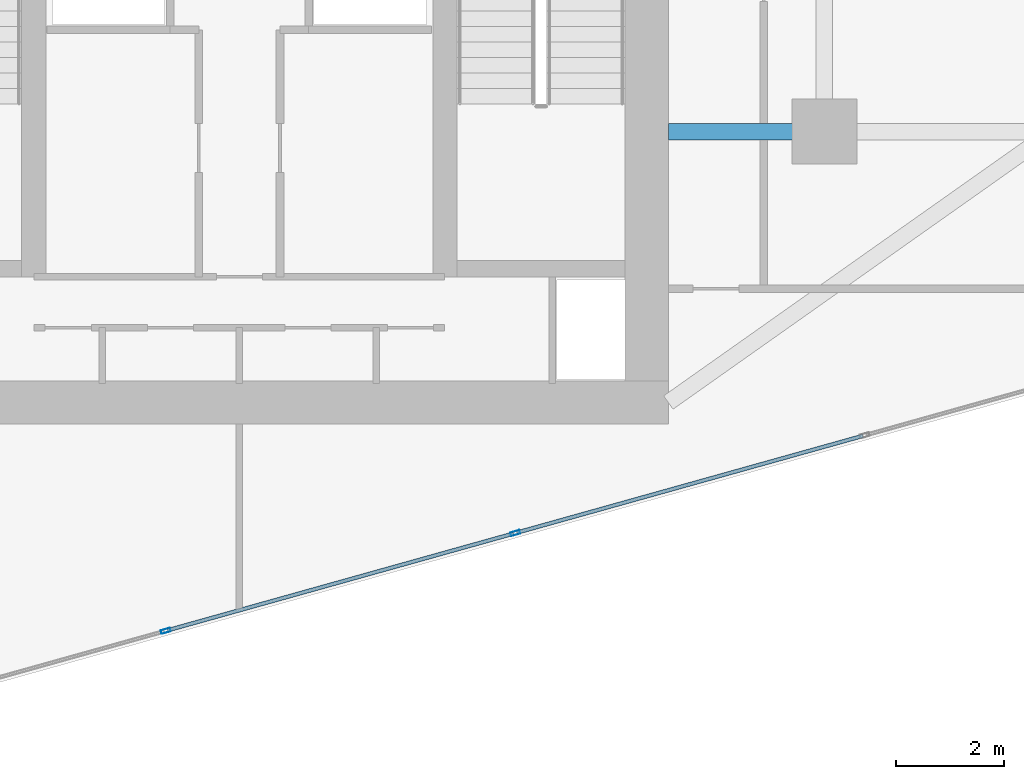
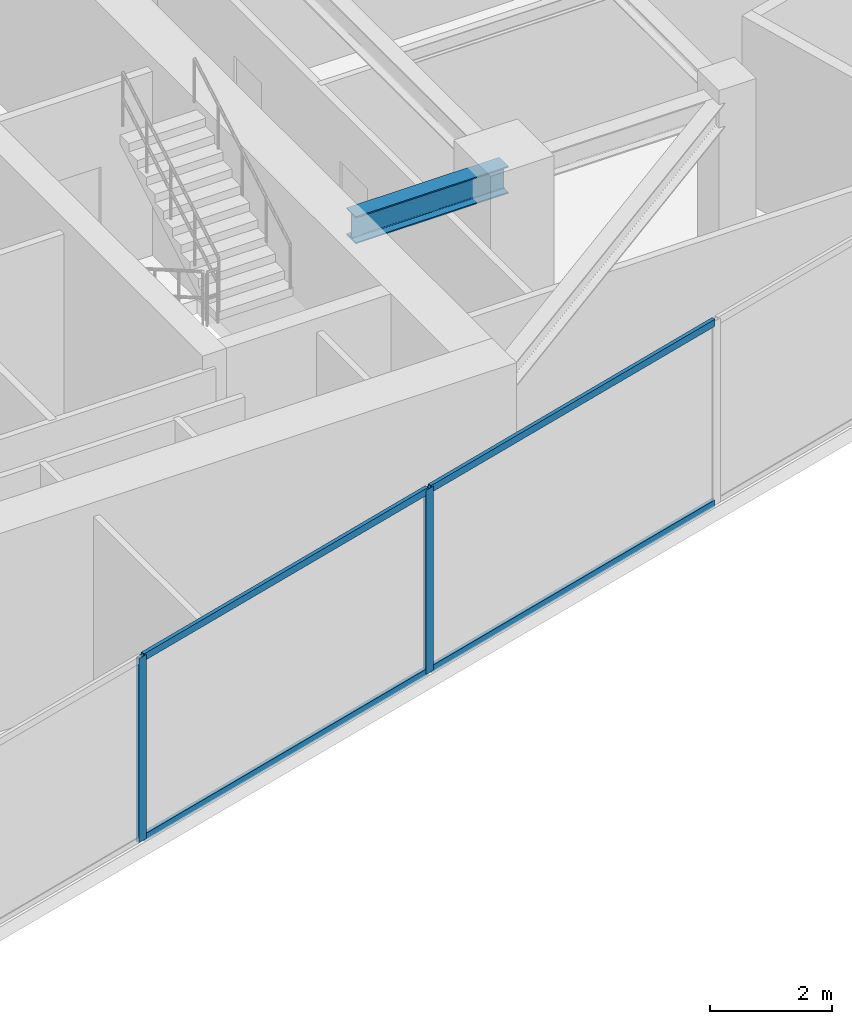
# One storey, part 4 of 21: 6 members, 1 beam, 1 element without a shape of its own.
"""IFC4 building model written with IfcOpenShell, lengths in metres."""

from ifc_helpers import new_model, si_unit, direction, frame, origin, origin_2d, place, context, subcontext, project, spatial, hollow_rectangle, i_section, extrude, source, transform, mapped, material, material_profile, profile_set, type_object, type_shapes, element, aggregate, save


model = new_model("IFC4")

# Units and contexts
model_context = context("Model", 3, precision=1e-05, world=origin(), true_north=direction((0.0, 1.0)))
body_context = subcontext(model_context, "Body", "Model", "MODEL_VIEW")
ifc_project = project(units=[si_unit("LENGTHUNIT", "METRE"), si_unit("AREAUNIT", "SQUARE_METRE"), si_unit("VOLUMEUNIT", "CUBIC_METRE"), si_unit("PLANEANGLEUNIT", "RADIAN"), si_unit("MASSUNIT", "GRAM", prefix="KILO")], contexts=[model_context])

# Site, building, storey
site_placement = place(None, origin())
site = spatial("IfcSite", under=ifc_project, at=site_placement, CompositionType="ELEMENT")
building_placement = place(site_placement, origin())
building = spatial("IfcBuilding", under=site, at=building_placement, Name="Krantzveldt Concourse Tower", CompositionType="ELEMENT")
storey_placement = place(building_placement, frame((0.0, 0.0, 347.449951171875)))
storey = spatial("IfcBuildingStorey", under=building, at=storey_placement, Name="L85", CompositionType="ELEMENT", Elevation=347.449951171875)

# Beam
ifc_material_1 = material(Name="Steel S355JR", Category="steel")
ifc_material_profile_1 = material_profile(ifc_material_1, i_section(OverallWidth=0.300048828125, OverallDepth=0.5400390625, WebThickness=0.012451171875, FlangeThickness=0.02392578125, FilletRadius=0.027099609375, at=origin_2d()), Name="Steel S355JR", Category="steel")
ifc_profile_set_1 = profile_set([ifc_material_profile_1], Name="Steel S355JR - HEA 550")
beam_type = type_object("IfcBeamType", Name="BM-B-HEA550", PredefinedType="BEAM", material=ifc_profile_set_1)
shared_shape_1 = source(origin(), body_context, "Body", "SweptSolid", [
    extrude(i_section(OverallWidth=0.300048828125, OverallDepth=0.5400390625, WebThickness=0.012451171875, FlangeThickness=0.02392578125, FilletRadius=0.027099609375, at=origin_2d()), origin(), (0.0, 0.0, 1.0), 2.880126953125),
])
type_shapes(beam_type, [shared_shape_1])
beam_placement = place(storey_placement, frame((43.919921875, 15.89990234375, 3.400146484375), z_axis=(1.0, 0.0, 0.0), x_axis=(0.0, 1.0, 0.0)))
element("IfcBeam", 1, at=beam_placement, inside=storey, type_object=beam_type, Name="L85 Tower Girder BG-CE1", PredefinedType="BEAM", context=body_context, shape_type="MappedRepresentation", body=[
    mapped(shared_shape_1, transform((0.0, 0.0, 0.0), x_axis=(1.0, 0.0, 0.0), y_axis=(0.0, 1.0, 0.0), z_axis=(0.0, 0.0, 1.0), scale=1.0)),
])

# Curtain wall, members
ifc_material_2 = material(Name="Anodised aluminium 6063-T6", Category="aluminium")
curtain_wall_type = type_object("IfcCurtainWallType", Name="CW4", PredefinedType="USERDEFINED", material=ifc_material_2)
curtain_wall_placement = place(storey_placement, origin())
curtain_wall = element("IfcCurtainWall", 2, at=curtain_wall_placement, inside=storey, type_object=curtain_wall_type, Name="CW-L85-F07", ObjectType="UNITISED CURTAIN WALL", PredefinedType="USERDEFINED")
ifc_material_profile_2 = material_profile(ifc_material_2, hollow_rectangle(XDim=0.070068359375, YDim=0.179931640625, WallThickness=0.0048828125, at=origin_2d()), Name="Anodised aluminium 6063-T6", Category="aluminium")
ifc_profile_set_2 = profile_set([ifc_material_profile_2], Name="Anodised aluminium 6063-T6 - ALU-MULL 180x70x5")
member_type_1 = type_object("IfcMemberType", Name="CW-MUL-180", PredefinedType="MULLION", material=ifc_profile_set_2)
shared_shape_2 = source(origin(), body_context, "Body", "SweptSolid", [
    extrude(hollow_rectangle(XDim=0.070068359375, YDim=0.179931640625, WallThickness=0.0048828125, at=origin_2d()), origin(), (0.0, 0.0, 1.0), 3.670166015625),
])
type_shapes(member_type_1, [shared_shape_2])
member_1_placement = place(storey_placement, frame((34.640869140625, 6.684326171875, 0.0), z_axis=(0.0, 0.0, 1.0), x_axis=(-0.269339931454, 0.963045170968, 0.0)))
member_1 = element("IfcMember", 3, at=member_1_placement, type_object=member_type_1, Name="CW-Z56 mullion 2", PredefinedType="MULLION", context=body_context, shape_type="MappedRepresentation", body=[
    mapped(shared_shape_2, transform((0.0, 0.0, 0.0), x_axis=(1.0, 0.0, 0.0), y_axis=(0.0, 1.0, 0.0), z_axis=(0.0, 0.0, 1.0), scale=1.0)),
])
member_2_placement = place(storey_placement, frame((41.09326171875, 8.48876953125, 0.0), z_axis=(0.0, 0.0, 1.0), x_axis=(-0.269339931454, 0.963045170968, 0.0)))
member_2 = element("IfcMember", 4, at=member_2_placement, type_object=member_type_1, Name="CW-Z56 mullion 3", PredefinedType="MULLION", context=body_context, shape_type="MappedRepresentation", body=[
    mapped(shared_shape_2, transform((0.0, 0.0, 0.0), x_axis=(1.0, 0.0, 0.0), y_axis=(0.0, 1.0, 0.0), z_axis=(0.0, 0.0, 1.0), scale=1.0)),
])
ifc_material_profile_3 = material_profile(ifc_material_2, hollow_rectangle(XDim=0.070068359375, YDim=0.139892578125, WallThickness=0.0048828125, at=origin_2d()), Name="Anodised aluminium 6063-T6", Category="aluminium")
ifc_profile_set_3 = profile_set([ifc_material_profile_3], Name="Anodised aluminium 6063-T6 - ALU-TRAN 140x70x5")
member_type_2 = type_object("IfcMemberType", Name="CW-TRN-150", PredefinedType="USERDEFINED", material=ifc_profile_set_3)
shared_shape_3 = source(origin(), body_context, "Body", "SweptSolid", [
    extrude(hollow_rectangle(XDim=0.070068359375, YDim=0.139892578125, WallThickness=0.0048828125, at=origin_2d()), origin(), (0.0, 0.0, 1.0), 6.6298828125),
])
member_3_placement = place(storey_placement, frame((41.126953125, 8.498291015625, 0.03515625), z_axis=(0.963048491931, 0.269328056819, 0.0), x_axis=(-0.269328056819, 0.963048491931, 0.0)))
member_3 = element("IfcMember", 5, at=member_3_placement, type_object=member_type_2, Name="CW-Z56 transom 3.1", ObjectType="TRANSOM", PredefinedType="USERDEFINED", context=body_context, shape_type="MappedRepresentation", body=[
    mapped(shared_shape_3, transform((0.0, 0.0, 0.0), x_axis=(1.0, 0.0, 0.0), y_axis=(0.0, 1.0, 0.0), z_axis=(0.0, 0.0, 1.0), scale=1.0)),
])
member_4_placement = place(storey_placement, frame((41.126953125, 8.498291015625, 3.635009765625), z_axis=(0.963048491931, 0.269328056819, 0.0), x_axis=(-0.269328056819, 0.963048491931, 0.0)))
member_4 = element("IfcMember", 6, at=member_4_placement, type_object=member_type_2, Name="CW-Z56 transom 3.2", ObjectType="TRANSOM", PredefinedType="USERDEFINED", context=body_context, shape_type="MappedRepresentation", body=[
    mapped(shared_shape_3, transform((0.0, 0.0, 0.0), x_axis=(1.0, 0.0, 0.0), y_axis=(0.0, 1.0, 0.0), z_axis=(0.0, 0.0, 1.0), scale=1.0)),
])
shared_shape_4 = source(origin(), body_context, "Body", "SweptSolid", [
    extrude(hollow_rectangle(XDim=0.070068359375, YDim=0.139892578125, WallThickness=0.0048828125, at=origin_2d()), origin(), (0.0, 0.0, 1.0), 6.630126953125),
])
type_shapes(member_type_2, [shared_shape_3, shared_shape_4])
member_5_placement = place(storey_placement, frame((34.674560546875, 6.693603515625, 0.03515625), z_axis=(0.963038940254, 0.269362208846, 0.0), x_axis=(-0.269362208846, 0.963038940254, 0.0)))
member_5 = element("IfcMember", 7, at=member_5_placement, type_object=member_type_2, Name="CW-Z56 transom 2.1", ObjectType="TRANSOM", PredefinedType="USERDEFINED", context=body_context, shape_type="MappedRepresentation", body=[
    mapped(shared_shape_4, transform((0.0, 0.0, 0.0), x_axis=(1.0, 0.0, 0.0), y_axis=(0.0, 1.0, 0.0), z_axis=(0.0, 0.0, 1.0), scale=1.0)),
])
member_6_placement = place(storey_placement, frame((34.674560546875, 6.693603515625, 3.635009765625), z_axis=(0.963038940254, 0.269362208846, 0.0), x_axis=(-0.269362208846, 0.963038940254, 0.0)))
member_6 = element("IfcMember", 8, at=member_6_placement, type_object=member_type_2, Name="CW-Z56 transom 2.2", ObjectType="TRANSOM", PredefinedType="USERDEFINED", context=body_context, shape_type="MappedRepresentation", body=[
    mapped(shared_shape_4, transform((0.0, 0.0, 0.0), x_axis=(1.0, 0.0, 0.0), y_axis=(0.0, 1.0, 0.0), z_axis=(0.0, 0.0, 1.0), scale=1.0)),
])
aggregate(curtain_wall, [member_1, member_2, member_5, member_6, member_3, member_4])

save(model, "model.ifc")
